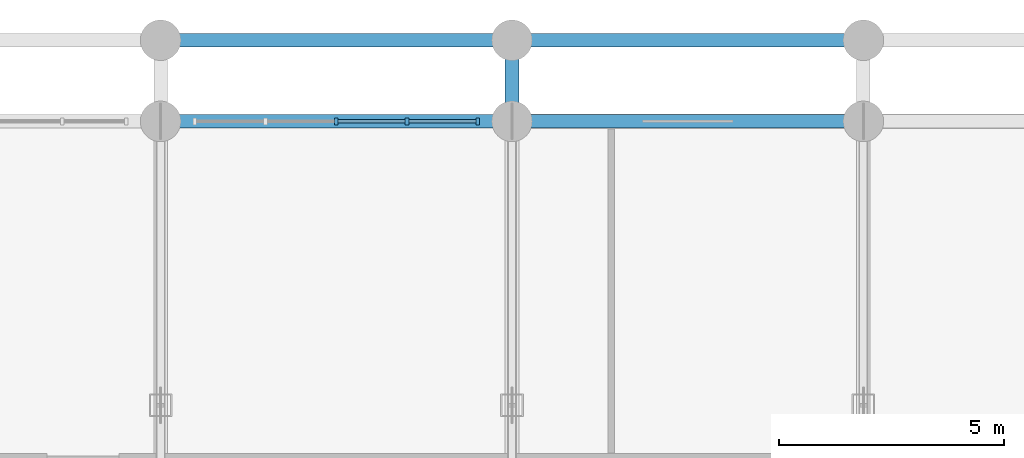
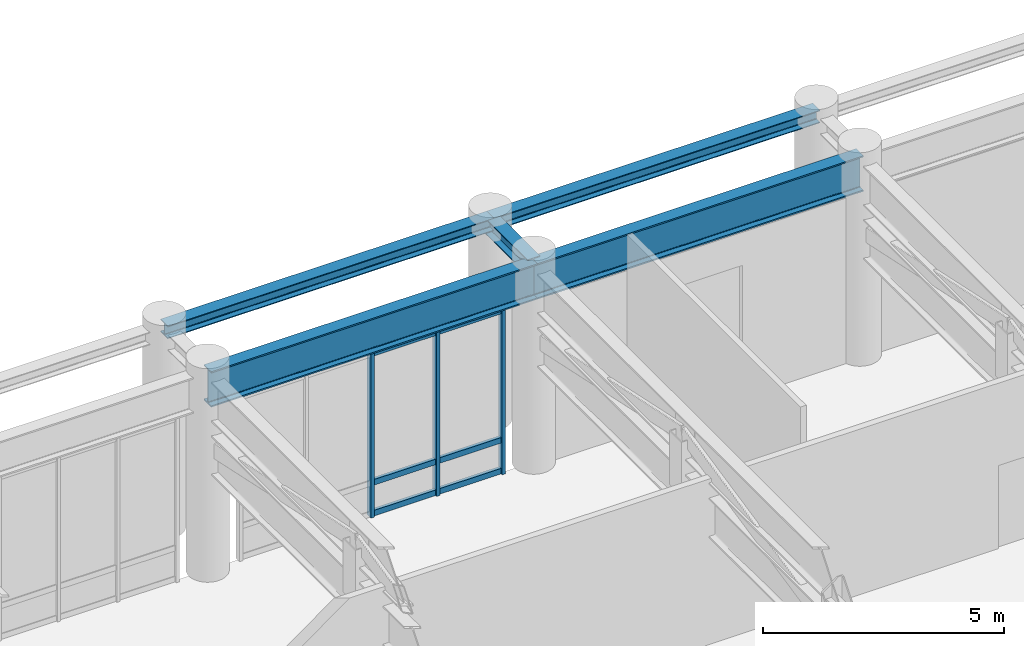
# One storey, part 9 of 24: 9 members, 5 beams, 1 element without a shape of its own.
"""IFC4 building model written with IfcOpenShell, lengths in metres."""

from ifc_helpers import new_model, si_unit, derived_unit, direction, frame, origin, origin_2d, place, context, subcontext, project, spatial, rectangle, i_section, extrude, source, transform, mapped, material, layer, layer_set, material_profile, profile_set, type_object, element, aggregate, save


model = new_model("IFC4")

# Units and contexts
model_context = context("Model", 3, precision=1e-05, world=origin(), true_north=direction((0.0, 1.0)))
body_context = subcontext(model_context, "Body", "Model", "MODEL_VIEW")
ifc_project = project(units=[si_unit("LENGTHUNIT", "METRE"), si_unit("AREAUNIT", "SQUARE_METRE"), si_unit("VOLUMEUNIT", "CUBIC_METRE"), si_unit("PLANEANGLEUNIT", "RADIAN"), si_unit("MASSUNIT", "GRAM", prefix="KILO"), si_unit("THERMODYNAMICTEMPERATUREUNIT", "KELVIN"), si_unit("POWERUNIT", "WATT"), derived_unit("THERMALTRANSMITTANCEUNIT", [(si_unit("POWERUNIT", "WATT"), 1), (si_unit("AREAUNIT", "SQUARE_METRE"), -1), (si_unit("THERMODYNAMICTEMPERATUREUNIT", "KELVIN"), -1)])], contexts=[model_context])

# Site, building, storey
site_placement = place(None, origin())
site = spatial("IfcSite", under=ifc_project, at=site_placement, CompositionType="ELEMENT")
building_placement = place(site_placement, origin())
building = spatial("IfcBuilding", under=site, at=building_placement, Name="Zahravan Archway Hotel and Residences", CompositionType="ELEMENT")
storey_placement = place(building_placement, frame((0.0, 0.0, 10.800048828125)))
storey = spatial("IfcBuildingStorey", under=building, at=storey_placement, Name="L02", CompositionType="ELEMENT", Elevation=10.800048828125)

# Beams
ifc_material_1 = material(Name="Structural Steel S355J2", Category="steel")
ifc_material_profile_1 = material_profile(ifc_material_1, i_section(OverallWidth=0.300048828125, OverallDepth=0.89990234375, WebThickness=0.0185546875, FlangeThickness=0.034912109375, FilletRadius=0.030029296875, at=origin_2d()), Name="HEB 900", Category="steel")
ifc_profile_set_1 = profile_set([ifc_material_profile_1], Name="Structural Steel S355J2")
beam_type_1 = type_object("IfcBeamType", Name="BM-PRI-HEB900", PredefinedType="BEAM", material=ifc_profile_set_1)
shared_shape_1 = source(origin(), body_context, "Body", "SweptSolid", [
    extrude(i_section(OverallWidth=0.300048828125, OverallDepth=0.89990234375, WebThickness=0.0185546875, FlangeThickness=0.034912109375, FilletRadius=0.030029296875, at=origin_2d()), origin(), (0.0, 0.0, 1.0), 7.800048828125),
])
for number, where, z_axis, x_axis, name in (
    (1, (42.0, 46.800048828125, 4.64990234375), (1.0, 0.0, 0.0), (0.0, 1.0, 0.0), "L02 Primary Girder EW-58"),
    (2, (49.800048828125, 46.800048828125, 4.64990234375), (1.0, 0.0, 0.0), (0.0, 1.0, 0.0), "L02 Primary Girder EW-59"),
):
    element("IfcBeam", number, at=place(storey_placement, frame(where, z_axis=z_axis, x_axis=x_axis)), inside=storey, type_object=beam_type_1, Name=name, PredefinedType="BEAM", context=body_context, shape_type="MappedRepresentation", body=[
        mapped(shared_shape_1, transform((0.0, 0.0, 0.0), scale=1.0)),
    ])
ifc_material_2 = material(Name="Structural Steel S355JR", Category="steel")
ifc_material_profile_2 = material_profile(ifc_material_2, i_section(OverallWidth=0.300048828125, OverallDepth=0.39990234375, WebThickness=0.013427734375, FlangeThickness=0.02392578125, FilletRadius=0.027099609375, at=origin_2d()), Name="HEB 400", Category="steel")
ifc_profile_set_2 = profile_set([ifc_material_profile_2], Name="Structural Steel S355JR")
beam_type_2 = type_object("IfcBeamType", Name="BM-PRI-HEB400", PredefinedType="BEAM", material=ifc_profile_set_2)
shared_shape_2 = source(origin(), body_context, "Body", "SweptSolid", [
    extrude(i_section(OverallWidth=0.300048828125, OverallDepth=0.39990234375, WebThickness=0.013427734375, FlangeThickness=0.02392578125, FilletRadius=0.027099609375, at=origin_2d()), origin(), (0.0, 0.0, 1.0), 1.800048828125),
])
beam_placement = place(storey_placement, frame((49.800048828125, 46.800048828125, 4.9599609375), z_axis=(0.0, 1.0, 0.0), x_axis=(-1.0, 0.0, 0.0)))
element("IfcBeam", 3, at=beam_placement, inside=storey, type_object=beam_type_2, Name="L02 North Colonnade Tie Girder 8", PredefinedType="BEAM", context=body_context, shape_type="MappedRepresentation", body=[
    mapped(shared_shape_2, transform((0.0, 0.0, 0.0), scale=1.0)),
])
ifc_material_profile_3 = material_profile(ifc_material_2, i_section(OverallWidth=0.300048828125, OverallDepth=0.320068359375, WebThickness=0.011474609375, FlangeThickness=0.0205078125, FilletRadius=0.027099609375, at=origin_2d()), Name="HEB 320", Category="steel")
ifc_profile_set_3 = profile_set([ifc_material_profile_3], Name="Structural Steel S355JR")
beam_type_3 = type_object("IfcBeamType", Name="BM-SPN-HEB320", PredefinedType="SPANDREL", material=ifc_profile_set_3)
shared_shape_3 = source(origin(), body_context, "Body", "SweptSolid", [
    extrude(i_section(OverallWidth=0.300048828125, OverallDepth=0.320068359375, WebThickness=0.011474609375, FlangeThickness=0.0205078125, FilletRadius=0.027099609375, at=origin_2d()), origin(), (0.0, 0.0, 1.0), 7.800048828125),
])
for number, where, z_axis, x_axis, name in (
    (4, (42.0, 48.60009765625, 5.0), (1.0, 0.0, 0.0), (0.0, 1.0, 0.0), "L02 North Colonnade Spandrel 7"),
    (5, (49.800048828125, 48.60009765625, 5.0), (1.0, 0.0, 0.0), (0.0, 1.0, 0.0), "L02 North Colonnade Spandrel 8"),
):
    element("IfcBeam", number, at=place(storey_placement, frame(where, z_axis=z_axis, x_axis=x_axis)), inside=storey, type_object=beam_type_3, Name=name, PredefinedType="SPANDREL", context=body_context, shape_type="MappedRepresentation", body=[
        mapped(shared_shape_3, transform((0.0, 0.0, 0.0), scale=1.0)),
    ])

# Curtain wall, members
ifc_material_3 = material(Name="Bronze-Anodized Unitised Aluminium & Low-E Glass", Category="aluminium")
ifc_layer = layer(ifc_material_3, 0.179931640625, Name="Bronze-Anodized Unitised Aluminium & Low-E Glass", Category="aluminium")
ifc_layer_set = layer_set([ifc_layer], Name="Bronze-Anodized Unitised Aluminium & Low-E Glass")
curtain_wall_type = type_object("IfcCurtainWallType", Name="CW-POD-ARCH", PredefinedType="NOTDEFINED", material=ifc_layer_set)
curtain_wall_placement = place(storey_placement, origin())
curtain_wall = element("IfcCurtainWall", 6, at=curtain_wall_placement, inside=storey, type_object=curtain_wall_type, Name="L02 Curtain Wall CW-POD-L02-3", PredefinedType="NOTDEFINED")
ifc_material_4 = material(Name="Bronze-Anodized Extruded Aluminium", Category="aluminium")
ifc_material_profile_4 = material_profile(ifc_material_4, rectangle(XDim=0.080078125, YDim=0.139892578125, at=origin_2d()), Name="TRN 80x140", Category="aluminium")
ifc_profile_set_4 = profile_set([ifc_material_profile_4], Name="Bronze-Anodized Extruded Aluminium")
member_type_1 = type_object("IfcMemberType", Name="CWM-TRN-140", PredefinedType="USERDEFINED", material=ifc_profile_set_4)
shared_shape_4 = source(origin(), body_context, "Body", "SweptSolid", [
    extrude(rectangle(XDim=0.080078125, YDim=0.139892578125, at=origin_2d()), origin(), (0.0, 0.0, 1.0), 1.489990234375),
])
member_1_placement = place(storey_placement, frame((45.93994140625, 46.800048828125, 0.070068359375), z_axis=(1.0, 0.0, 0.0), x_axis=(0.0, 1.0, 0.0)))
member_1 = element("IfcMember", 7, at=member_1_placement, type_object=member_type_1, Name="CW-POD-L02-3 Transom 2-1", ObjectType="TRANSOM", PredefinedType="USERDEFINED", context=body_context, shape_type="MappedRepresentation", body=[
    mapped(shared_shape_4, transform((0.0, 0.0, 0.0), scale=1.0)),
])
member_2_placement = place(storey_placement, frame((45.93994140625, 46.800048828125, 0.849853515625), z_axis=(1.0, 0.0, 0.0), x_axis=(0.0, 1.0, 0.0)))
member_2 = element("IfcMember", 8, at=member_2_placement, type_object=member_type_1, Name="CW-POD-L02-3 Transom 2-2", ObjectType="TRANSOM", PredefinedType="USERDEFINED", context=body_context, shape_type="MappedRepresentation", body=[
    mapped(shared_shape_4, transform((0.0, 0.0, 0.0), scale=1.0)),
])
member_3_placement = place(storey_placement, frame((45.93994140625, 46.800048828125, 4.114990234375), z_axis=(1.0, 0.0, 0.0), x_axis=(0.0, 1.0, 0.0)))
member_3 = element("IfcMember", 9, at=member_3_placement, type_object=member_type_1, Name="CW-POD-L02-3 Transom 2-3", ObjectType="TRANSOM", PredefinedType="USERDEFINED", context=body_context, shape_type="MappedRepresentation", body=[
    mapped(shared_shape_4, transform((0.0, 0.0, 0.0), scale=1.0)),
])
member_4_placement = place(storey_placement, frame((47.510009765625, 46.800048828125, 0.070068359375), z_axis=(1.0, 0.0, 0.0), x_axis=(0.0, 1.0, 0.0)))
member_4 = element("IfcMember", 10, at=member_4_placement, type_object=member_type_1, Name="CW-POD-L02-3 Transom 3-1", ObjectType="TRANSOM", PredefinedType="USERDEFINED", context=body_context, shape_type="MappedRepresentation", body=[
    mapped(shared_shape_4, transform((0.0, 0.0, 0.0), scale=1.0)),
])
member_5_placement = place(storey_placement, frame((47.510009765625, 46.800048828125, 0.849853515625), z_axis=(1.0, 0.0, 0.0), x_axis=(0.0, 1.0, 0.0)))
member_5 = element("IfcMember", 11, at=member_5_placement, type_object=member_type_1, Name="CW-POD-L02-3 Transom 3-2", ObjectType="TRANSOM", PredefinedType="USERDEFINED", context=body_context, shape_type="MappedRepresentation", body=[
    mapped(shared_shape_4, transform((0.0, 0.0, 0.0), scale=1.0)),
])
member_6_placement = place(storey_placement, frame((47.510009765625, 46.800048828125, 4.114990234375), z_axis=(1.0, 0.0, 0.0), x_axis=(0.0, 1.0, 0.0)))
member_6 = element("IfcMember", 12, at=member_6_placement, type_object=member_type_1, Name="CW-POD-L02-3 Transom 3-3", ObjectType="TRANSOM", PredefinedType="USERDEFINED", context=body_context, shape_type="MappedRepresentation", body=[
    mapped(shared_shape_4, transform((0.0, 0.0, 0.0), scale=1.0)),
])
ifc_material_profile_5 = material_profile(ifc_material_4, rectangle(XDim=0.080078125, YDim=0.159912109375, at=origin_2d()), Name="MUL 80x160", Category="aluminium")
ifc_profile_set_5 = profile_set([ifc_material_profile_5], Name="Bronze-Anodized Extruded Aluminium")
member_type_2 = type_object("IfcMemberType", Name="CWM-MUL-160", PredefinedType="MULLION", material=ifc_profile_set_5)
shared_shape_5 = source(origin(), body_context, "Body", "SweptSolid", [
    extrude(rectangle(XDim=0.080078125, YDim=0.159912109375, at=origin_2d()), origin(), (0.0, 0.0, 1.0), 4.18505859375),
])
member_7_placement = place(storey_placement, frame((45.89990234375, 46.800048828125, 0.0), z_axis=(0.0, 0.0, 1.0), x_axis=(1.0, 0.0, 0.0)))
member_7 = element("IfcMember", 13, at=member_7_placement, type_object=member_type_2, Name="CW-POD-L02-3 Mullion 2", PredefinedType="MULLION", context=body_context, shape_type="MappedRepresentation", body=[
    mapped(shared_shape_5, transform((0.0, 0.0, 0.0), scale=1.0)),
])
member_8_placement = place(storey_placement, frame((47.469970703125, 46.800048828125, 0.0), z_axis=(0.0, 0.0, 1.0), x_axis=(1.0, 0.0, 0.0)))
member_8 = element("IfcMember", 14, at=member_8_placement, type_object=member_type_2, Name="CW-POD-L02-3 Mullion 3", PredefinedType="MULLION", context=body_context, shape_type="MappedRepresentation", body=[
    mapped(shared_shape_5, transform((0.0, 0.0, 0.0), scale=1.0)),
])
member_9_placement = place(storey_placement, frame((49.0400390625, 46.800048828125, 0.0), z_axis=(0.0, 0.0, 1.0), x_axis=(1.0, 0.0, 0.0)))
member_9 = element("IfcMember", 15, at=member_9_placement, type_object=member_type_2, Name="CW-POD-L02-3 Mullion 4", PredefinedType="MULLION", context=body_context, shape_type="MappedRepresentation", body=[
    mapped(shared_shape_5, transform((0.0, 0.0, 0.0), scale=1.0)),
])
aggregate(curtain_wall, [member_7, member_8, member_9, member_1, member_2, member_3, member_4, member_5, member_6])

save(model, "model.ifc")
